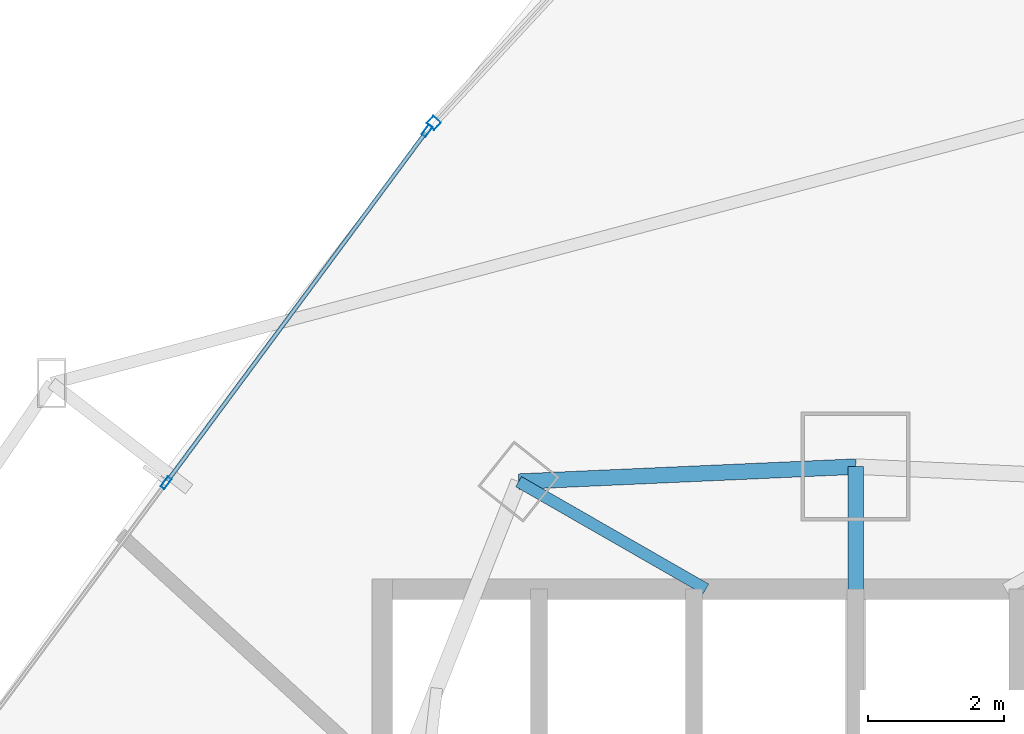
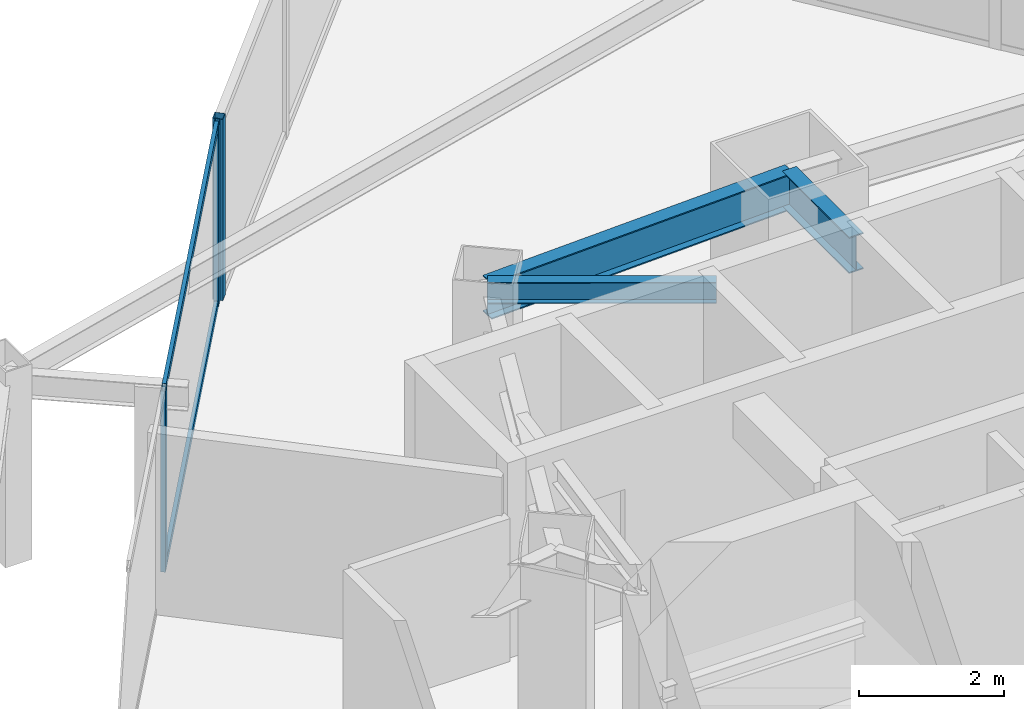
# One storey, part 23 of 35: 5 members, 3 beams, 2 elements without a shape of their own.
"""IFC4 building model written with IfcOpenShell, lengths in metres."""

from ifc_helpers import new_model, si_unit, direction, frame, origin, origin_2d, place, context, subcontext, project, spatial, hollow_rectangle, i_section, extrude, material, layer, layer_set, material_profile, profile_set, type_object, element, aggregate, save


model = new_model("IFC4")

# Units and contexts
model_context = context("Model", 3, precision=1e-05, world=origin(), true_north=direction((0.0, 1.0)))
body_context = subcontext(model_context, "Body", "Model", "MODEL_VIEW")
ifc_project = project(units=[si_unit("LENGTHUNIT", "METRE"), si_unit("AREAUNIT", "SQUARE_METRE"), si_unit("VOLUMEUNIT", "CUBIC_METRE"), si_unit("PLANEANGLEUNIT", "RADIAN"), si_unit("MASSUNIT", "GRAM", prefix="KILO")], contexts=[model_context])

# Site, building, storey
site_placement = place(None, origin())
site = spatial("IfcSite", under=ifc_project, at=site_placement, CompositionType="ELEMENT")
building_placement = place(site_placement, origin())
building = spatial("IfcBuilding", under=site, at=building_placement, Name="Orvanel Arch Residences", CompositionType="ELEMENT")
storey_placement = place(building_placement, frame((0.0, 0.0, 33.5)))
storey = spatial("IfcBuildingStorey", under=building, at=storey_placement, Name="L08", CompositionType="ELEMENT", Elevation=33.5)

# Beams
ifc_material_1 = material(Name="Structural steel AS/NZS 3679.1 Grade 300 (300 MPa)", Category="steel")
ifc_material_profile_1 = material_profile(ifc_material_1, i_section(OverallWidth=0.22900390625, OverallDepth=0.612060546875, WebThickness=0.011962890625, FlangeThickness=0.01953125, at=origin_2d()), Name="610UB125")
ifc_profile_set_1 = profile_set([ifc_material_profile_1], Name="Structural steel AS/NZS 3679.1 Grade 300 (300 MPa)")
beam_type_1 = type_object("IfcBeamType", Name="BG-610UB", PredefinedType="BEAM", material=ifc_profile_set_1)
beam_1_placement = place(storey_placement, frame((33.0, 39.550048828125, 2.75390625), z_axis=(0.0, 1.0, 0.0), x_axis=(-1.0, 0.0, 0.0)))
element("IfcBeam", 1, at=beam_1_placement, inside=storey, type_object=beam_type_1, Name="L08 North Radial Girder", PredefinedType="BEAM", context=body_context, shape_type="SweptSolid", body=[
    extrude(i_section(OverallWidth=0.22900390625, OverallDepth=0.612060546875, WebThickness=0.011962890625, FlangeThickness=0.01953125, at=origin_2d()), origin(), (0.0, 0.0, 1.0), 1.847900390625),
])
ifc_material_profile_2 = material_profile(ifc_material_1, i_section(OverallWidth=0.1708984375, OverallDepth=0.35595703125, WebThickness=0.00732421875, FlangeThickness=0.011474609375, at=origin_2d()), Name="360UB50.7")
ifc_profile_set_2 = profile_set([ifc_material_profile_2], Name="Structural steel AS/NZS 3679.1 Grade 300 (300 MPa)")
beam_type_2 = type_object("IfcBeamType", Name="BJ-360UB", PredefinedType="JOIST", material=ifc_profile_set_2)
beam_2_placement = place(storey_placement, frame((30.800048828125, 39.60009765625, 2.882080078125), z_axis=(-0.86736513383, 0.497672306458, 0.0), x_axis=(-0.497672306458, -0.86736513383, 0.0)))
element("IfcBeam", 2, at=beam_2_placement, inside=storey, type_object=beam_type_2, Name="L08 MNW Wing Floor Joist", PredefinedType="JOIST", context=body_context, shape_type="SweptSolid", body=[
    extrude(i_section(OverallWidth=0.1708984375, OverallDepth=0.35595703125, WebThickness=0.00732421875, FlangeThickness=0.011474609375, at=origin_2d()), origin(), (0.0, 0.0, 1.0), 3.17041015625),
])

# Curtain wall, member
ifc_material_2 = material(Name="Bronze-anodised aluminium AA6063-T6", Category="aluminium")
ifc_layer_1 = layer(ifc_material_2, 0.18994140625)
ifc_layer_set_1 = layer_set([ifc_layer_1], Name="Bronze-anodised aluminium AA6063-T6")
curtain_wall_type_1 = type_object("IfcCurtainWallType", Name="CW5-CRN-SYS", PredefinedType="NOTDEFINED", material=ifc_layer_set_1)
curtain_wall_1_placement = place(storey_placement, origin())
curtain_wall_1 = element("IfcCurtainWall", 3, at=curtain_wall_1_placement, inside=storey, type_object=curtain_wall_type_1, Name="L08 CW5-CRN-SYS Unitised Curtain Wall", PredefinedType="NOTDEFINED")
ifc_material_profile_3 = material_profile(ifc_material_2, hollow_rectangle(XDim=0.14990234375, YDim=0.14990234375, WallThickness=0.0048828125, at=origin_2d()), Name="ALU150x150x5")
ifc_profile_set_3 = profile_set([ifc_material_profile_3], Name="Bronze-anodised aluminium AA6063-T6")
member_type_1 = type_object("IfcMemberType", Name="MUL-150x150", PredefinedType="MULLION", material=ifc_profile_set_3)
member_1_placement = place(storey_placement, frame((26.803955078125, 46.446044921875, 0.0), z_axis=(0.0, 0.0, 1.0), x_axis=(0.734004180621, -0.679144949794, 0.0)))
member_1 = element("IfcMember", 4, at=member_1_placement, type_object=member_type_1, Name="CW-S5 mullion 3", PredefinedType="MULLION", context=body_context, shape_type="SweptSolid", body=[
    extrude(hollow_rectangle(XDim=0.14990234375, YDim=0.14990234375, WallThickness=0.0048828125, at=origin_2d()), origin(), (0.0, 0.0, 1.0), 3.06005859375),
])
aggregate(curtain_wall_1, [member_1])

# Curtain wall, members
ifc_layer_2 = layer(ifc_material_2, 0.179931640625)
ifc_layer_set_2 = layer_set([ifc_layer_2], Name="Bronze-anodised aluminium AA6063-T6")
curtain_wall_type_2 = type_object("IfcCurtainWallType", Name="CW2-LOW-SYS", PredefinedType="NOTDEFINED", material=ifc_layer_set_2)
curtain_wall_2_placement = place(storey_placement, origin())
curtain_wall_2 = element("IfcCurtainWall", 5, at=curtain_wall_2_placement, inside=storey, type_object=curtain_wall_type_2, Name="L08 CW2-LOW-SYS Unitised Curtain Wall", PredefinedType="NOTDEFINED")
ifc_material_profile_4 = material_profile(ifc_material_2, hollow_rectangle(XDim=0.070068359375, YDim=0.179931640625, WallThickness=0.00439453125, at=origin_2d()), Name="ALU180x70x4.5")
ifc_profile_set_4 = profile_set([ifc_material_profile_4], Name="Bronze-anodised aluminium AA6063-T6")
member_type_2 = type_object("IfcMemberType", Name="MUL-180x70", PredefinedType="MULLION", material=ifc_profile_set_4)
member_2_placement = place(storey_placement, frame((26.7060546875, 46.331787109375, 0.0), z_axis=(0.0, 0.0, 1.0), x_axis=(0.803472332546, -0.595342095633, 0.0)))
member_2 = element("IfcMember", 6, at=member_2_placement, type_object=member_type_2, Name="CW-S2 mullion 1", PredefinedType="MULLION", context=body_context, shape_type="SweptSolid", body=[
    extrude(hollow_rectangle(XDim=0.070068359375, YDim=0.179931640625, WallThickness=0.00439453125, at=origin_2d()), origin(), (0.0, 0.0, 1.0), 3.06005859375),
])
member_3_placement = place(storey_placement, frame((22.8740234375, 41.159912109375, 0.0), z_axis=(0.0, 0.0, 1.0), x_axis=(0.803472332546, -0.595342095633, 0.0)))
member_3 = element("IfcMember", 7, at=member_3_placement, type_object=member_type_2, Name="CW-S2 mullion 2", PredefinedType="MULLION", context=body_context, shape_type="SweptSolid", body=[
    extrude(hollow_rectangle(XDim=0.070068359375, YDim=0.179931640625, WallThickness=0.00439453125, at=origin_2d()), origin(), (0.0, 0.0, 1.0), 3.06005859375),
])

# Beam
ifc_material_profile_5 = material_profile(ifc_material_1, i_section(OverallWidth=0.22900390625, OverallDepth=0.612060546875, WebThickness=0.011962890625, FlangeThickness=0.01953125, at=origin_2d()), Name="610UB125")
ifc_profile_set_5 = profile_set([ifc_material_profile_5], Name="Structural steel AS/NZS 3679.1 Grade 300 (300 MPa)")
beam_type_3 = type_object("IfcBeamType", Name="SP-610UB", PredefinedType="SPANDREL", material=ifc_profile_set_5)
beam_3_placement = place(storey_placement, frame((33.0, 41.39794921875, 2.75390625), z_axis=(-0.999014049296, -0.044395149614, 0.0), x_axis=(0.044395149614, -0.999014049296, 0.0)))
element("IfcBeam", 8, at=beam_3_placement, inside=storey, type_object=beam_type_3, Name="L08 Perimeter Spandrel Beam 17", PredefinedType="SPANDREL", context=body_context, shape_type="SweptSolid", body=[
    extrude(i_section(OverallWidth=0.22900390625, OverallDepth=0.612060546875, WebThickness=0.011962890625, FlangeThickness=0.01953125, at=origin_2d()), origin(), (0.0, 0.0, 1.0), 4.954833984375),
])

# Member
ifc_material_profile_6 = material_profile(ifc_material_2, hollow_rectangle(XDim=0.06005859375, YDim=0.135009765625, WallThickness=0.00390625, at=origin_2d()), Name="ALU135x60x4")
ifc_profile_set_6 = profile_set([ifc_material_profile_6], Name="Bronze-anodised aluminium AA6063-T6")
member_type_3 = type_object("IfcMemberType", Name="TRN-135x60", PredefinedType="USERDEFINED", material=ifc_profile_set_6)
member_4_placement = place(storey_placement, frame((26.685302734375, 46.3037109375, 0.030029296875), z_axis=(-0.595357762484, -0.803460723775, 0.0), x_axis=(0.803460723775, -0.595357762484, 0.0)))
member_4 = element("IfcMember", 9, at=member_4_placement, type_object=member_type_3, Name="CW-S2 transom 1.1", ObjectType="TRANSOM", PredefinedType="USERDEFINED", context=body_context, shape_type="SweptSolid", body=[
    extrude(hollow_rectangle(XDim=0.06005859375, YDim=0.135009765625, WallThickness=0.00390625, at=origin_2d()), origin(), (0.0, 0.0, 1.0), 6.36669921875),
])

member_5_placement = place(storey_placement, frame((26.685302734375, 46.3037109375, 3.030029296875), z_axis=(-0.595357762484, -0.803460723775, 0.0), x_axis=(0.803460723775, -0.595357762484, 0.0)))
member_5 = element("IfcMember", 10, at=member_5_placement, type_object=member_type_3, Name="CW-S2 transom 1.2", ObjectType="TRANSOM", PredefinedType="USERDEFINED", context=body_context, shape_type="SweptSolid", body=[
    extrude(hollow_rectangle(XDim=0.06005859375, YDim=0.135009765625, WallThickness=0.00390625, at=origin_2d()), origin(), (0.0, 0.0, 1.0), 6.36669921875),
])

aggregate(curtain_wall_2, [member_2, member_3, member_4, member_5])

save(model, "model.ifc")
